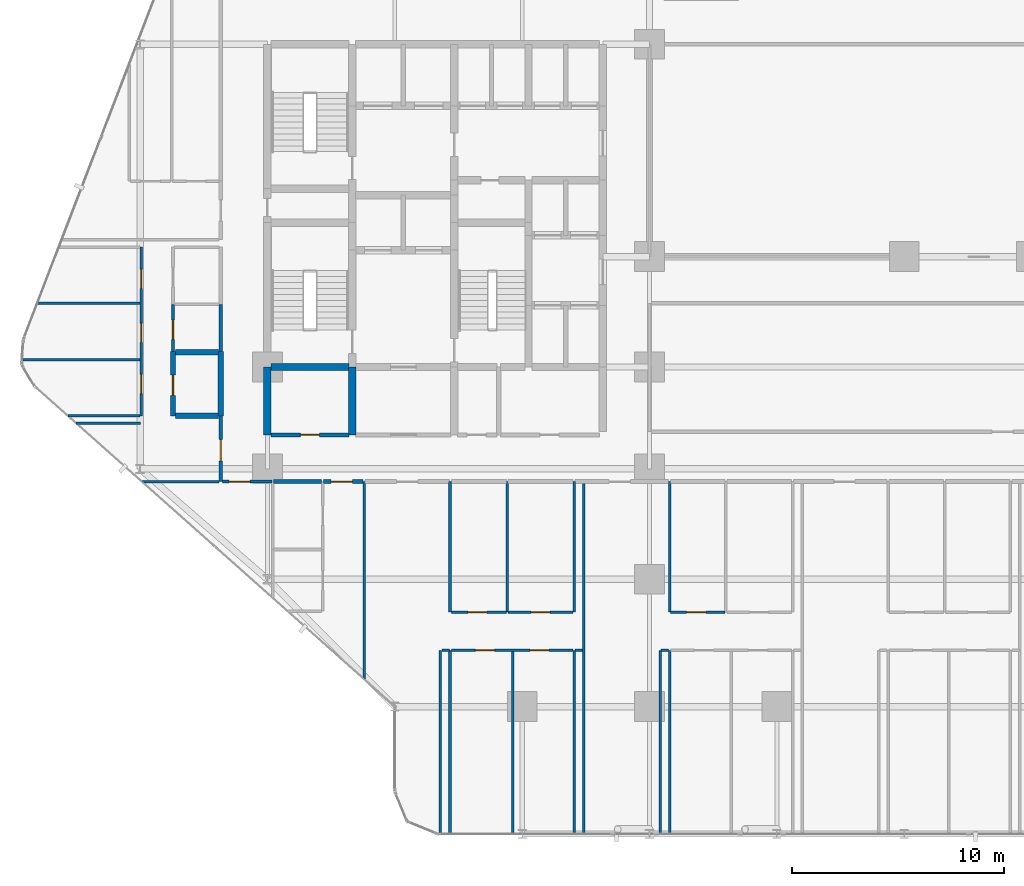
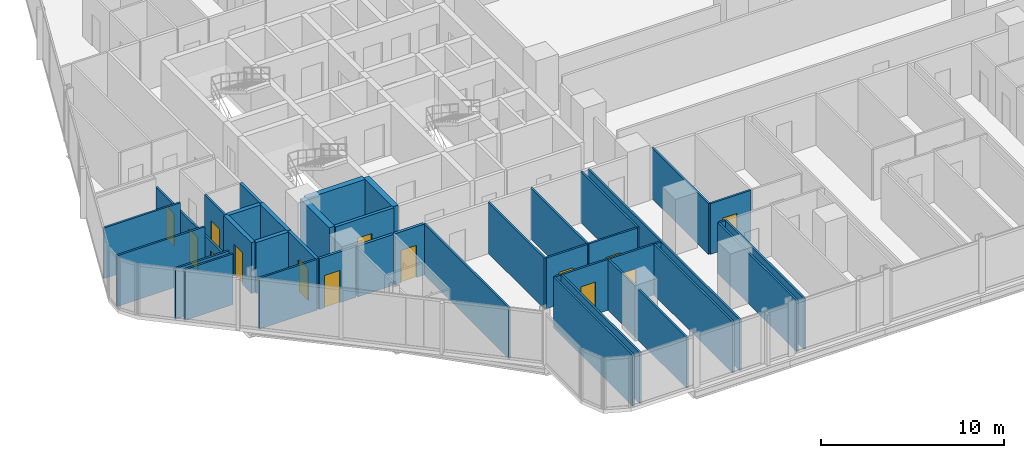
# One storey, part 27 of 35: 39 walls, 14 doors, 14 openings.
"""IFC4 building model written with IfcOpenShell, lengths in metres."""

from ifc_helpers import new_model, si_unit, direction, frame, frame_2d, origin, place, context, subcontext, project, spatial, rectangle, extrude, material, layer, layer_set, type_object, element, fill, save


model = new_model("IFC4")

# Units and contexts
model_context = context("Model", 3, precision=1e-05, world=origin(), true_north=direction((0.0, 1.0)))
body_context = subcontext(model_context, "Body", "Model", "MODEL_VIEW")
ifc_project = project(units=[si_unit("LENGTHUNIT", "METRE"), si_unit("AREAUNIT", "SQUARE_METRE"), si_unit("VOLUMEUNIT", "CUBIC_METRE"), si_unit("PLANEANGLEUNIT", "RADIAN"), si_unit("MASSUNIT", "GRAM", prefix="KILO")], contexts=[model_context])

# Site, building, storey
site_placement = place(None, origin())
site = spatial("IfcSite", under=ifc_project, at=site_placement, CompositionType="ELEMENT")
building_placement = place(site_placement, origin())
building = spatial("IfcBuilding", under=site, at=building_placement, Name="Keshet Zoharim Tower", CompositionType="ELEMENT")
storey_placement = place(building_placement, frame((0.0, 0.0, 24.0)))
storey = spatial("IfcBuildingStorey", under=building, at=storey_placement, Name="L04", CompositionType="ELEMENT", Elevation=24.0)

# Wall, opening, door
ifc_material_1 = material(Name="Gypsum Plasterboard", Category="gypsum")
ifc_layer_1 = layer(ifc_material_1, 0.14990234375)
ifc_layer_set_1 = layer_set([ifc_layer_1], Name="Gypsum Plasterboard")
wall_type_1 = type_object("IfcWallType", Name="WL-CLIN-150", PredefinedType="STANDARD", material=ifc_layer_set_1)
wall_1_placement = place(storey_placement, frame((12.875, 17.300048828125, 0.0), z_axis=(0.0, 0.0, 1.0), x_axis=(1.0, 0.0, 0.0)))
wall_1 = element("IfcWall", 1, at=wall_1_placement, inside=storey, type_object=wall_type_1, Name="L04 Interior Wall 146", PredefinedType="STANDARD", context=body_context, shape_type="SweptSolid", body=[
    extrude(rectangle(XDim=2.330078125, YDim=0.14990234375, at=frame_2d((1.1650390625, 0.0))), origin(), (0.0, 0.0, 1.0), 3.385009765625),
])
opening_1_placement = place(wall_1_placement, frame((0.31494140625, 0.0, 0.0)))
opening_1 = element("IfcOpeningElement", 2, at=opening_1_placement, cuts=wall_1, Name="Opening D-F310", PredefinedType="OPENING", context=body_context, shape_type="SweptSolid", body=[
    extrude(rectangle(XDim=1.0, YDim=2.14990234375, at=frame_2d((0.5, 1.074951171875))), frame((0.0, 0.0849609375, 0.0), z_axis=(0.0, -1.0, 0.0), x_axis=(1.0, 0.0, 0.0)), (0.0, 0.0, 1.0), 0.169921875),
])
ifc_material_2 = material(Name="Hardwood Timber", Category="wood")
door_type_1 = type_object("IfcDoorType", Name="DR-FD30-100", OperationType="NOTDEFINED", PredefinedType="DOOR", material=ifc_material_2)
door_1_placement = place(opening_1_placement, origin())
door_1 = element("IfcDoor", 3, at=door_1_placement, inside=storey, type_object=door_type_1, Name="L04 South West Residents Services Suite Access Door", OperationType="SINGLE_SWING_RIGHT", OverallHeight=2.14990234375, OverallWidth=1.0, PredefinedType="DOOR", context=body_context, shape_type="SweptSolid", body=[
    extrude(rectangle(XDim=1.0, YDim=2.14990234375, at=frame_2d((0.5, 1.074951171875))), frame((0.0, 0.02490234375, 0.0), z_axis=(0.0, -1.0, 0.0), x_axis=(1.0, 0.0, 0.0)), (0.0, 0.0, 1.0), 0.050048828125),
])
fill(opening_1, door_1)

# Walls
ifc_material_3 = material(Name="Concrete C60/75", Category="concrete")
ifc_layer_2 = layer(ifc_material_3, 0.35009765625)
ifc_layer_set_2 = layer_set([ifc_layer_2], Name="Concrete C60/75")
wall_type_2 = type_object("IfcWallType", Name="WL-CORE-350", PredefinedType="SHEAR", material=ifc_layer_set_2)
for number, where, z_axis, x_axis, name in (
    (4, (15.0, 19.5, 0.0), (0.0, 0.0, 1.0), (0.0, 1.0, 0.0), "L04 Core Shear Wall 015"),
    (5, (19.0, 19.5, 0.0), (0.0, 0.0, 1.0), (0.0, 1.0, 0.0), "L04 Core Shear Wall 025"),
):
    element("IfcWall", number, at=place(storey_placement, frame(where, z_axis=z_axis, x_axis=x_axis)), inside=storey, type_object=wall_type_2, Name=name, PredefinedType="SHEAR", context=body_context, shape_type="SweptSolid", body=[
        extrude(rectangle(XDim=3.199951171875, YDim=0.35009765625, at=frame_2d((1.60009765625, 0.0))), origin(), (0.0, 0.0, 1.0), 3.385009765625),
    ])
wall_2_placement = place(storey_placement, frame((15.159912109375, 22.699951171875, 0.0), z_axis=(0.0, 0.0, 1.0), x_axis=(1.0, 0.0, 0.0)))
element("IfcWall", 6, at=wall_2_placement, inside=storey, type_object=wall_type_2, Name="L04 Core Shear Wall 171", PredefinedType="SHEAR", context=body_context, shape_type="SweptSolid", body=[
    extrude(rectangle(XDim=3.68017578125, YDim=0.35009765625, at=frame_2d((1.840087890625, 0.0))), origin(), (0.0, 0.0, 1.0), 3.385009765625),
])

# Wall, opening, door
ifc_layer_3 = layer(ifc_material_1, 0.179931640625)
ifc_layer_set_3 = layer_set([ifc_layer_3], Name="Gypsum Plasterboard")
wall_type_3 = type_object("IfcWallType", Name="WL-CORR-180", PredefinedType="STANDARD", material=ifc_layer_set_3)
wall_3_placement = place(storey_placement, frame((12.800048828125, 17.300048828125, 0.0), z_axis=(0.0, 0.0, 1.0), x_axis=(0.0, 1.0, 0.0)))
wall_3 = element("IfcWall", 7, at=wall_3_placement, inside=storey, type_object=wall_type_3, Name="L04 Interior Wall 007", PredefinedType="STANDARD", context=body_context, shape_type="SweptSolid", body=[
    extrude(rectangle(XDim=3.099853515625, YDim=0.179931640625, at=frame_2d((1.5498046875, 0.0))), origin(), (0.0, 0.0, 1.0), 3.385009765625),
])
opening_2_placement = place(wall_3_placement, frame((0.97802734375, 0.0, 0.0)))
opening_2 = element("IfcOpeningElement", 8, at=opening_2_placement, cuts=wall_3, Name="Opening D-F310", PredefinedType="OPENING", context=body_context, shape_type="SweptSolid", body=[
    extrude(rectangle(XDim=1.0, YDim=2.14990234375, at=frame_2d((0.5, 1.074951171875))), frame((0.0, 0.10009765625, 0.0), z_axis=(0.0, -1.0, 0.0), x_axis=(1.0, 0.0, 0.0)), (0.0, 0.0, 1.0), 0.199951171875),
])
door_2_placement = place(opening_2_placement, origin())
door_2 = element("IfcDoor", 9, at=door_2_placement, inside=storey, type_object=door_type_1, Name="Apartment 0411 Entrance Door", OperationType="SINGLE_SWING_RIGHT", OverallHeight=2.14990234375, OverallWidth=1.0, PredefinedType="DOOR", context=body_context, shape_type="SweptSolid", body=[
    extrude(rectangle(XDim=1.0, YDim=2.14990234375, at=frame_2d((0.5, 1.074951171875))), frame((0.0, 0.02490234375, 0.0), z_axis=(0.0, -1.0, 0.0), x_axis=(1.0, 0.0, 0.0)), (0.0, 0.0, 1.0), 0.050048828125),
])
fill(opening_2, door_2)

# Walls
wall_4_placement = place(storey_placement, frame((12.800048828125, 23.4208984375, 0.0), z_axis=(0.0, 0.0, 1.0), x_axis=(0.0, 1.0, 0.0)))
element("IfcWall", 10, at=wall_4_placement, inside=storey, type_object=wall_type_3, Name="L04 Interior Wall 009", PredefinedType="STANDARD", context=body_context, shape_type="SweptSolid", body=[
    extrude(rectangle(XDim=2.22607421875, YDim=0.179931640625, at=frame_2d((1.113037109375, 0.0))), origin(), (0.0, 0.0, 1.0), 3.385009765625),
])
wall_5_placement = place(storey_placement, frame((15.294921875, 17.300048828125, 0.0), z_axis=(0.0, 0.0, 1.0), x_axis=(1.0, 0.0, 0.0)))
element("IfcWall", 11, at=wall_5_placement, inside=storey, type_object=wall_type_3, Name="L04 Interior Wall 147", PredefinedType="STANDARD", context=body_context, shape_type="SweptSolid", body=[
    extrude(rectangle(XDim=2.260009765625, YDim=0.179931640625, at=frame_2d((1.1298828125, 0.0))), origin(), (0.0, 0.0, 1.0), 3.385009765625),
])

# Wall, opening, door
wall_6_placement = place(storey_placement, frame((17.64501953125, 17.300048828125, 0.0), z_axis=(0.0, 0.0, 1.0), x_axis=(1.0, 0.0, 0.0)))
wall_6 = element("IfcWall", 12, at=wall_6_placement, inside=storey, type_object=wall_type_3, Name="L04 Interior Wall 148", PredefinedType="STANDARD", context=body_context, shape_type="SweptSolid", body=[
    extrude(rectangle(XDim=1.85986328125, YDim=0.179931640625, at=frame_2d((0.929931640625, 0.0))), origin(), (0.0, 0.0, 1.0), 3.385009765625),
])
opening_3_placement = place(wall_6_placement, frame((0.35693359375, 0.0, 0.0)))
opening_3 = element("IfcOpeningElement", 13, at=opening_3_placement, cuts=wall_6, Name="Opening D-F310", PredefinedType="OPENING", context=body_context, shape_type="SweptSolid", body=[
    extrude(rectangle(XDim=1.0, YDim=2.14990234375, at=frame_2d((0.5, 1.074951171875))), frame((0.0, 0.10009765625, 0.0), z_axis=(0.0, -1.0, 0.0), x_axis=(1.0, 0.0, 0.0)), (0.0, 0.0, 1.0), 0.199951171875),
])
door_3_placement = place(opening_3_placement, origin())
door_3 = element("IfcDoor", 14, at=door_3_placement, inside=storey, type_object=door_type_1, Name="Apartment 0401 Entrance Door", OperationType="SINGLE_SWING_LEFT", OverallHeight=2.14990234375, OverallWidth=1.0, PredefinedType="DOOR", context=body_context, shape_type="SweptSolid", body=[
    extrude(rectangle(XDim=1.0, YDim=2.14990234375, at=frame_2d((0.5, 1.074951171875))), frame((0.0, 0.02490234375, 0.0), z_axis=(0.0, -1.0, 0.0), x_axis=(1.0, 0.0, 0.0)), (0.0, 0.0, 1.0), 0.050048828125),
])
fill(opening_3, door_3)

ifc_material_4 = material(Name="Concrete C50/60", Category="concrete")
ifc_layer_4 = layer(ifc_material_4, 0.199951171875)
ifc_layer_set_4 = layer_set([ifc_layer_4], Name="Concrete C50/60")
wall_type_4 = type_object("IfcWallType", Name="WL-FIRE-200", PredefinedType="STANDARD", material=ifc_layer_set_4)
wall_7_placement = place(storey_placement, frame((15.159912109375, 19.5, 0.0), z_axis=(0.0, 0.0, 1.0), x_axis=(1.0, 0.0, 0.0)))
wall_7 = element("IfcWall", 15, at=wall_7_placement, inside=storey, type_object=wall_type_4, Name="L04 Interior Wall 163", PredefinedType="STANDARD", context=body_context, shape_type="SweptSolid", body=[
    extrude(rectangle(XDim=3.68017578125, YDim=0.199951171875, at=frame_2d((1.840087890625, 0.0))), origin(), (0.0, 0.0, 1.0), 3.385009765625),
])
opening_4_placement = place(wall_7_placement, frame((1.389892578125, 0.0, 0.0)))
opening_4 = element("IfcOpeningElement", 16, at=opening_4_placement, cuts=wall_7, Name="Opening D-F690", PredefinedType="OPENING", context=body_context, shape_type="SweptSolid", body=[
    extrude(rectangle(XDim=0.89990234375, YDim=2.14990234375, at=frame_2d((0.449951171875, 1.074951171875))), frame((0.0, 0.10986328125, 0.0), z_axis=(0.0, -1.0, 0.0), x_axis=(1.0, 0.0, 0.0)), (0.0, 0.0, 1.0), 0.219970703125),
])
door_type_2 = type_object("IfcDoorType", Name="DR-FD60-090", OperationType="NOTDEFINED", PredefinedType="DOOR", material=ifc_material_2)
door_4_placement = place(opening_4_placement, origin())
door_4 = element("IfcDoor", 17, at=door_4_placement, inside=storey, type_object=door_type_2, Name="L04 Refuse Room Door", OperationType="SINGLE_SWING_LEFT", OverallHeight=2.14990234375, OverallWidth=0.89990234375, PredefinedType="DOOR", context=body_context, shape_type="SweptSolid", body=[
    extrude(rectangle(XDim=0.89990234375, YDim=2.14990234375, at=frame_2d((0.449951171875, 1.074951171875))), frame((0.0, 0.02490234375, 0.0), z_axis=(0.0, -1.0, 0.0), x_axis=(1.0, 0.0, 0.0)), (0.0, 0.0, 1.0), 0.050048828125),
])
fill(opening_4, door_4)

ifc_layer_5 = layer(ifc_material_4, 0.25)
ifc_layer_set_5 = layer_set([ifc_layer_5], Name="Concrete C50/60")
wall_type_5 = type_object("IfcWallType", Name="WL-MAMAD-250", PredefinedType="STANDARD", material=ifc_layer_set_5)
wall_8_placement = place(storey_placement, frame((10.550048828125, 20.39990234375, 0.0), z_axis=(0.0, 0.0, 1.0), x_axis=(0.0, 1.0, 0.0)))
wall_8 = element("IfcWall", 18, at=wall_8_placement, inside=storey, type_object=wall_type_5, Name="L04 Interior Wall 004", PredefinedType="STANDARD", context=body_context, shape_type="SweptSolid", body=[
    extrude(rectangle(XDim=3.02099609375, YDim=0.25, at=frame_2d((1.510498046875, 0.0))), origin(), (0.0, 0.0, 1.0), 3.385009765625),
])
opening_5_placement = place(wall_8_placement, frame((0.964111328125, 0.0, 0.0)))
opening_5 = element("IfcOpeningElement", 19, at=opening_5_placement, cuts=wall_8, Name="Opening D-F695", PredefinedType="OPENING", context=body_context, shape_type="SweptSolid", body=[
    extrude(rectangle(XDim=0.949951171875, YDim=2.14990234375, at=frame_2d((0.47509765625, 1.074951171875))), frame((0.0, 0.135009765625, 0.0), z_axis=(0.0, -1.0, 0.0), x_axis=(1.0, 0.0, 0.0)), (0.0, 0.0, 1.0), 0.27001953125),
])
door_type_3 = type_object("IfcDoorType", Name="DR-FD60-095", OperationType="NOTDEFINED", PredefinedType="DOOR", material=ifc_material_2)
door_5_placement = place(opening_5_placement, origin())
door_5 = element("IfcDoor", 20, at=door_5_placement, inside=storey, type_object=door_type_3, Name="Apartment 0411 Study and Shelter Room Door", OperationType="SINGLE_SWING_LEFT", OverallHeight=2.14990234375, OverallWidth=0.949951171875, PredefinedType="DOOR", context=body_context, shape_type="SweptSolid", body=[
    extrude(rectangle(XDim=0.949951171875, YDim=2.14990234375, at=frame_2d((0.47509765625, 1.074951171875))), frame((0.0, 0.02490234375, 0.0), z_axis=(0.0, -1.0, 0.0), x_axis=(1.0, 0.0, 0.0)), (0.0, 0.0, 1.0), 0.050048828125),
])
fill(opening_5, door_5)

# Walls
wall_9_placement = place(storey_placement, frame((12.800048828125, 20.39990234375, 0.0), z_axis=(0.0, 0.0, 1.0), x_axis=(0.0, 1.0, 0.0)))
element("IfcWall", 21, at=wall_9_placement, inside=storey, type_object=wall_type_5, Name="L04 Interior Wall 008", PredefinedType="STANDARD", context=body_context, shape_type="SweptSolid", body=[
    extrude(rectangle(XDim=3.02099609375, YDim=0.25, at=frame_2d((1.510498046875, 0.0))), origin(), (0.0, 0.0, 1.0), 3.385009765625),
])
for number, where, z_axis, x_axis, name in (
    (22, (10.659912109375, 20.39990234375, 0.0), (0.0, 0.0, 1.0), (1.0, 0.0, 0.0), "L04 Interior Wall 170"),
    (23, (10.659912109375, 23.39990234375, 0.0), (0.0, 0.0, 1.0), (1.0, 0.0, 0.0), "L04 Interior Wall 177"),
):
    element("IfcWall", number, at=place(storey_placement, frame(where, z_axis=z_axis, x_axis=x_axis)), inside=storey, type_object=wall_type_5, Name=name, PredefinedType="STANDARD", context=body_context, shape_type="SweptSolid", body=[
        extrude(rectangle(XDim=2.030029296875, YDim=0.25, at=frame_2d((1.01513671875, 0.0))), origin(), (0.0, 0.0, 1.0), 3.385009765625),
    ])

# Wall, openings, doors
ifc_layer_6 = layer(ifc_material_1, 0.1201171875)
ifc_layer_set_6 = layer_set([ifc_layer_6], Name="Gypsum Plasterboard")
wall_type_6 = type_object("IfcWallType", Name="WL-PART-120", PredefinedType="PARTITIONING", material=ifc_layer_set_6)
wall_10_placement = place(storey_placement, frame((9.050048828125, 20.39990234375, 0.0), z_axis=(0.0, 0.0, 1.0), x_axis=(0.0, 1.0, 0.0)))
wall_10 = element("IfcWall", 24, at=wall_10_placement, inside=storey, type_object=wall_type_6, Name="L04 Interior Wall 002", PredefinedType="PARTITIONING", context=body_context, shape_type="SweptSolid", body=[
    extrude(rectangle(XDim=7.9501953125, YDim=0.1201171875, at=frame_2d((3.97509765625, 0.0))), origin(), (0.0, 0.0, 1.0), 2.784912109375),
])
opening_6_placement = place(wall_10_placement, frame((1.050048828125, 0.0, 0.0)))
opening_6 = element("IfcOpeningElement", 25, at=opening_6_placement, cuts=wall_10, Name="Opening D-IN90", PredefinedType="OPENING", context=body_context, shape_type="SweptSolid", body=[
    extrude(rectangle(XDim=0.89990234375, YDim=2.14990234375, at=frame_2d((0.449951171875, 1.074951171875))), frame((0.0, 0.070068359375, 0.0), z_axis=(0.0, -1.0, 0.0), x_axis=(1.0, 0.0, 0.0)), (0.0, 0.0, 1.0), 0.14013671875),
])
opening_7_placement = place(wall_10_placement, frame((3.455078125, 0.0, 0.0)))
opening_7 = element("IfcOpeningElement", 26, at=opening_7_placement, cuts=wall_10, Name="Opening D-IN90", PredefinedType="OPENING", context=body_context, shape_type="SweptSolid", body=[
    extrude(rectangle(XDim=0.89990234375, YDim=2.14990234375, at=frame_2d((0.449951171875, 1.074951171875))), frame((0.0, 0.070068359375, 0.0), z_axis=(0.0, -1.0, 0.0), x_axis=(1.0, 0.0, 0.0)), (0.0, 0.0, 1.0), 0.14013671875),
])
opening_8_placement = place(wall_10_placement, frame((6.0, 0.0, 0.0)))
opening_8 = element("IfcOpeningElement", 27, at=opening_8_placement, cuts=wall_10, Name="Opening D-IN90", PredefinedType="OPENING", context=body_context, shape_type="SweptSolid", body=[
    extrude(rectangle(XDim=0.89990234375, YDim=2.14990234375, at=frame_2d((0.449951171875, 1.074951171875))), frame((0.0, 0.070068359375, 0.0), z_axis=(0.0, -1.0, 0.0), x_axis=(1.0, 0.0, 0.0)), (0.0, 0.0, 1.0), 0.14013671875),
])
door_type_4 = type_object("IfcDoorType", Name="DR-INT-090", OperationType="NOTDEFINED", PredefinedType="DOOR", material=ifc_material_2)
door_6_placement = place(opening_6_placement, origin())
door_6 = element("IfcDoor", 28, at=door_6_placement, inside=storey, type_object=door_type_4, Name="Apartment 0411 Bedroom 1 Door", OperationType="SINGLE_SWING_RIGHT", OverallHeight=2.14990234375, OverallWidth=0.89990234375, PredefinedType="DOOR", context=body_context, shape_type="SweptSolid", body=[
    extrude(rectangle(XDim=0.89990234375, YDim=2.14990234375, at=frame_2d((0.449951171875, 1.074951171875))), frame((0.0, 0.02490234375, 0.0), z_axis=(0.0, -1.0, 0.0), x_axis=(1.0, 0.0, 0.0)), (0.0, 0.0, 1.0), 0.050048828125),
])
fill(opening_6, door_6)
door_7_placement = place(opening_7_placement, origin())
door_7 = element("IfcDoor", 29, at=door_7_placement, inside=storey, type_object=door_type_4, Name="Apartment 0411 Bedroom 2 Door", OperationType="SINGLE_SWING_LEFT", OverallHeight=2.14990234375, OverallWidth=0.89990234375, PredefinedType="DOOR", context=body_context, shape_type="SweptSolid", body=[
    extrude(rectangle(XDim=0.89990234375, YDim=2.14990234375, at=frame_2d((0.449951171875, 1.074951171875))), frame((0.0, 0.02490234375, 0.0), z_axis=(0.0, -1.0, 0.0), x_axis=(1.0, 0.0, 0.0)), (0.0, 0.0, 1.0), 0.050048828125),
])
fill(opening_7, door_7)
door_8_placement = place(opening_8_placement, origin())
door_8 = element("IfcDoor", 30, at=door_8_placement, inside=storey, type_object=door_type_4, Name="Apartment 0411 Bedroom 3 Door", OperationType="SINGLE_SWING_RIGHT", OverallHeight=2.14990234375, OverallWidth=0.89990234375, PredefinedType="DOOR", context=body_context, shape_type="SweptSolid", body=[
    extrude(rectangle(XDim=0.89990234375, YDim=2.14990234375, at=frame_2d((0.449951171875, 1.074951171875))), frame((0.0, 0.02490234375, 0.0), z_axis=(0.0, -1.0, 0.0), x_axis=(1.0, 0.0, 0.0)), (0.0, 0.0, 1.0), 0.050048828125),
])
fill(opening_8, door_8)

# Walls
wall_11_placement = place(storey_placement, frame((19.550048828125, 7.9990234375, 0.0), z_axis=(0.0, 0.0, 1.0), x_axis=(0.0, 1.0, 0.0)))
element("IfcWall", 31, at=wall_11_placement, inside=storey, type_object=wall_type_6, Name="L04 Interior Wall 031", PredefinedType="PARTITIONING", context=body_context, shape_type="SweptSolid", body=[
    extrude(rectangle(XDim=9.301025390625, YDim=0.1201171875, at=frame_2d((4.650390625, 0.0))), origin(), (0.0, 0.0, 1.0), 3.385009765625),
])
for number, where, z_axis, x_axis, name in (
    (32, (23.14990234375, 0.7099609375, 0.0), (0.0, 0.0, 1.0), (0.0, 1.0, 0.0), "L04 Interior Wall 037"),
    (33, (23.60009765625, 0.7099609375, 0.0), (0.0, 0.0, 1.0), (0.0, 1.0, 0.0), "L04 Interior Wall 038"),
):
    element("IfcWall", number, at=place(storey_placement, frame(where, z_axis=z_axis, x_axis=x_axis)), inside=storey, type_object=wall_type_6, Name=name, PredefinedType="PARTITIONING", context=body_context, shape_type="SweptSolid", body=[
        extrude(rectangle(XDim=8.64013671875, YDim=0.1201171875, at=frame_2d((4.320068359375, 0.0))), origin(), (0.0, 0.0, 1.0), 3.385009765625),
    ])
wall_12_placement = place(storey_placement, frame((23.60009765625, 11.14990234375, 0.0), z_axis=(0.0, 0.0, 1.0), x_axis=(0.0, 1.0, 0.0)))
element("IfcWall", 34, at=wall_12_placement, inside=storey, type_object=wall_type_6, Name="L04 Interior Wall 039", PredefinedType="PARTITIONING", context=body_context, shape_type="SweptSolid", body=[
    extrude(rectangle(XDim=6.150146484375, YDim=0.1201171875, at=frame_2d((3.0751953125, 0.0))), origin(), (0.0, 0.0, 1.0), 3.385009765625),
])
for number, where, z_axis, x_axis, name in (
    (35, (26.550048828125, 0.7099609375, 0.0), (0.0, 0.0, 1.0), (0.0, 1.0, 0.0), "L04 Interior Wall 050"),
    (36, (29.449951171875, 0.7099609375, 0.0), (0.0, 0.0, 1.0), (0.0, 1.0, 0.0), "L04 Interior Wall 062"),
):
    element("IfcWall", number, at=place(storey_placement, frame(where, z_axis=z_axis, x_axis=x_axis)), inside=storey, type_object=wall_type_6, Name=name, PredefinedType="PARTITIONING", context=body_context, shape_type="SweptSolid", body=[
        extrude(rectangle(XDim=8.64013671875, YDim=0.1201171875, at=frame_2d((4.320068359375, 0.0))), origin(), (0.0, 0.0, 1.0), 3.385009765625),
    ])
wall_13_placement = place(storey_placement, frame((29.89990234375, 0.7099609375, 0.0), z_axis=(0.0, 0.0, 1.0), x_axis=(0.0, 1.0, 0.0)))
element("IfcWall", 37, at=wall_13_placement, inside=storey, type_object=wall_type_6, Name="L04 Interior Wall 064", PredefinedType="PARTITIONING", context=body_context, shape_type="SweptSolid", body=[
    extrude(rectangle(XDim=16.590087890625, YDim=0.1201171875, at=frame_2d((8.294921875, 0.0))), origin(), (0.0, 0.0, 1.0), 3.385009765625),
])
for number, where, z_axis, x_axis, name in (
    (38, (33.5, 0.7099609375, 0.0), (0.0, 0.0, 1.0), (0.0, 1.0, 0.0), "L04 Interior Wall 075"),
    (39, (33.949951171875, 0.7099609375, 0.0), (0.0, 0.0, 1.0), (0.0, 1.0, 0.0), "L04 Interior Wall 078"),
):
    element("IfcWall", number, at=place(storey_placement, frame(where, z_axis=z_axis, x_axis=x_axis)), inside=storey, type_object=wall_type_6, Name=name, PredefinedType="PARTITIONING", context=body_context, shape_type="SweptSolid", body=[
        extrude(rectangle(XDim=8.64013671875, YDim=0.1201171875, at=frame_2d((4.320068359375, 0.0))), origin(), (0.0, 0.0, 1.0), 3.385009765625),
    ])
wall_14_placement = place(storey_placement, frame((33.949951171875, 11.14990234375, 0.0), z_axis=(0.0, 0.0, 1.0), x_axis=(0.0, 1.0, 0.0)))
element("IfcWall", 40, at=wall_14_placement, inside=storey, type_object=wall_type_6, Name="L04 Interior Wall 079", PredefinedType="PARTITIONING", context=body_context, shape_type="SweptSolid", body=[
    extrude(rectangle(XDim=6.150146484375, YDim=0.1201171875, at=frame_2d((3.0751953125, 0.0))), origin(), (0.0, 0.0, 1.0), 3.385009765625),
])
wall_15_placement = place(storey_placement, frame((23.215087890625, 9.35009765625, 0.0), z_axis=(0.0, 0.0, 1.0), x_axis=(1.0, 0.0, 0.0)))
element("IfcWall", 41, at=wall_15_placement, inside=storey, type_object=wall_type_6, Name="L04 Interior Wall 124", PredefinedType="PARTITIONING", context=body_context, shape_type="SweptSolid", body=[
    extrude(rectangle(XDim=0.35986328125, YDim=0.1201171875, at=frame_2d((0.179931640625, 0.0))), origin(), (0.0, 0.0, 1.0), 3.385009765625),
])

# Wall, openings, doors
wall_16_placement = place(storey_placement, frame((23.6650390625, 9.35009765625, 0.0), z_axis=(0.0, 0.0, 1.0), x_axis=(1.0, 0.0, 0.0)))
wall_16 = element("IfcWall", 42, at=wall_16_placement, inside=storey, type_object=wall_type_6, Name="L04 Interior Wall 125", PredefinedType="PARTITIONING", context=body_context, shape_type="SweptSolid", body=[
    extrude(rectangle(XDim=5.72998046875, YDim=0.1201171875, at=frame_2d((2.864990234375, 0.0))), origin(), (0.0, 0.0, 1.0), 3.385009765625),
])
opening_9_placement = place(wall_16_placement, frame((1.135009765625, 0.0, 0.0)))
opening_9 = element("IfcOpeningElement", 43, at=opening_9_placement, cuts=wall_16, Name="Opening D-IN90", PredefinedType="OPENING", context=body_context, shape_type="SweptSolid", body=[
    extrude(rectangle(XDim=0.89990234375, YDim=2.14990234375, at=frame_2d((0.449951171875, 1.074951171875))), frame((0.0, 0.070068359375, 0.0), z_axis=(0.0, -1.0, 0.0), x_axis=(1.0, 0.0, 0.0)), (0.0, 0.0, 1.0), 0.14013671875),
])
opening_10_placement = place(wall_16_placement, frame((3.695068359375, 0.0, 0.0)))
opening_10 = element("IfcOpeningElement", 44, at=opening_10_placement, cuts=wall_16, Name="Opening D-IN90", PredefinedType="OPENING", context=body_context, shape_type="SweptSolid", body=[
    extrude(rectangle(XDim=0.89990234375, YDim=2.14990234375, at=frame_2d((0.449951171875, 1.074951171875))), frame((0.0, 0.070068359375, 0.0), z_axis=(0.0, -1.0, 0.0), x_axis=(1.0, 0.0, 0.0)), (0.0, 0.0, 1.0), 0.14013671875),
])
door_9_placement = place(opening_9_placement, origin())
door_9 = element("IfcDoor", 45, at=door_9_placement, inside=storey, type_object=door_type_4, Name="Apartment 0402 Bedroom 1 Door", OperationType="SINGLE_SWING_RIGHT", OverallHeight=2.14990234375, OverallWidth=0.89990234375, PredefinedType="DOOR", context=body_context, shape_type="SweptSolid", body=[
    extrude(rectangle(XDim=0.89990234375, YDim=2.14990234375, at=frame_2d((0.449951171875, 1.074951171875))), frame((0.0, 0.02490234375, 0.0), z_axis=(0.0, -1.0, 0.0), x_axis=(1.0, 0.0, 0.0)), (0.0, 0.0, 1.0), 0.050048828125),
])
fill(opening_9, door_9)
door_10_placement = place(opening_10_placement, origin())
door_10 = element("IfcDoor", 46, at=door_10_placement, inside=storey, type_object=door_type_4, Name="Apartment 0402 Bedroom 2 Door", OperationType="SINGLE_SWING_LEFT", OverallHeight=2.14990234375, OverallWidth=0.89990234375, PredefinedType="DOOR", context=body_context, shape_type="SweptSolid", body=[
    extrude(rectangle(XDim=0.89990234375, YDim=2.14990234375, at=frame_2d((0.449951171875, 1.074951171875))), frame((0.0, 0.02490234375, 0.0), z_axis=(0.0, -1.0, 0.0), x_axis=(1.0, 0.0, 0.0)), (0.0, 0.0, 1.0), 0.050048828125),
])
fill(opening_10, door_10)

# Walls
wall_17_placement = place(storey_placement, frame((29.485107421875, 9.35009765625, 0.0), z_axis=(0.0, 0.0, 1.0), x_axis=(1.0, 0.0, 0.0)))
element("IfcWall", 47, at=wall_17_placement, inside=storey, type_object=wall_type_6, Name="L04 Interior Wall 126", PredefinedType="PARTITIONING", context=body_context, shape_type="SweptSolid", body=[
    extrude(rectangle(XDim=0.35986328125, YDim=0.1201171875, at=frame_2d((0.179931640625, 0.0))), origin(), (0.0, 0.0, 1.0), 3.385009765625),
])
wall_18_placement = place(storey_placement, frame((33.534912109375, 9.35009765625, 0.0), z_axis=(0.0, 0.0, 1.0), x_axis=(1.0, 0.0, 0.0)))
element("IfcWall", 48, at=wall_18_placement, inside=storey, type_object=wall_type_6, Name="L04 Interior Wall 127", PredefinedType="PARTITIONING", context=body_context, shape_type="SweptSolid", body=[
    extrude(rectangle(XDim=0.360107421875, YDim=0.1201171875, at=frame_2d((0.18017578125, 0.0))), origin(), (0.0, 0.0, 1.0), 3.385009765625),
])

# Wall, opening, door
wall_19_placement = place(storey_placement, frame((23.6650390625, 11.14990234375, 0.0), z_axis=(0.0, 0.0, 1.0), x_axis=(1.0, 0.0, 0.0)))
wall_19 = element("IfcWall", 49, at=wall_19_placement, inside=storey, type_object=wall_type_6, Name="L04 Interior Wall 133", PredefinedType="PARTITIONING", context=body_context, shape_type="SweptSolid", body=[
    extrude(rectangle(XDim=2.5869140625, YDim=0.1201171875, at=frame_2d((1.29345703125, 0.0))), origin(), (0.0, 0.0, 1.0), 3.385009765625),
])
opening_11_placement = place(wall_19_placement, frame((0.77294921875, 0.0, 0.0)))
opening_11 = element("IfcOpeningElement", 50, at=opening_11_placement, cuts=wall_19, Name="Opening D-IN90", PredefinedType="OPENING", context=body_context, shape_type="SweptSolid", body=[
    extrude(rectangle(XDim=0.89990234375, YDim=2.14990234375, at=frame_2d((0.449951171875, 1.074951171875))), frame((0.0, 0.070068359375, 0.0), z_axis=(0.0, -1.0, 0.0), x_axis=(1.0, 0.0, 0.0)), (0.0, 0.0, 1.0), 0.14013671875),
])
door_11_placement = place(opening_11_placement, origin())
door_11 = element("IfcDoor", 51, at=door_11_placement, inside=storey, type_object=door_type_4, Name="Apartment 0402 Kitchen Door", OperationType="SINGLE_SWING_RIGHT", OverallHeight=2.14990234375, OverallWidth=0.89990234375, PredefinedType="DOOR", context=body_context, shape_type="SweptSolid", body=[
    extrude(rectangle(XDim=0.89990234375, YDim=2.14990234375, at=frame_2d((0.449951171875, 1.074951171875))), frame((0.0, 0.02490234375, 0.0), z_axis=(0.0, -1.0, 0.0), x_axis=(1.0, 0.0, 0.0)), (0.0, 0.0, 1.0), 0.050048828125),
])
fill(opening_11, door_11)

wall_20_placement = place(storey_placement, frame((33.985107421875, 11.14990234375, 0.0), z_axis=(0.0, 0.0, 1.0), x_axis=(1.0, 0.0, 0.0)))
wall_20 = element("IfcWall", 52, at=wall_20_placement, inside=storey, type_object=wall_type_6, Name="L04 Interior Wall 135", PredefinedType="PARTITIONING", context=body_context, shape_type="SweptSolid", body=[
    extrude(rectangle(XDim=2.572998046875, YDim=0.1201171875, at=frame_2d((1.28662109375, 0.0))), origin(), (0.0, 0.0, 1.0), 3.385009765625),
])
opening_12_placement = place(wall_20_placement, frame((0.76611328125, 0.0, 0.0)))
opening_12 = element("IfcOpeningElement", 53, at=opening_12_placement, cuts=wall_20, Name="Opening D-IN90", PredefinedType="OPENING", context=body_context, shape_type="SweptSolid", body=[
    extrude(rectangle(XDim=0.89990234375, YDim=2.14990234375, at=frame_2d((0.449951171875, 1.074951171875))), frame((0.0, 0.070068359375, 0.0), z_axis=(0.0, -1.0, 0.0), x_axis=(1.0, 0.0, 0.0)), (0.0, 0.0, 1.0), 0.14013671875),
])
door_12_placement = place(opening_12_placement, origin())
door_12 = element("IfcDoor", 54, at=door_12_placement, inside=storey, type_object=door_type_4, Name="Apartment 0403 Kitchen Door", OperationType="SINGLE_SWING_RIGHT", OverallHeight=2.14990234375, OverallWidth=0.89990234375, PredefinedType="DOOR", context=body_context, shape_type="SweptSolid", body=[
    extrude(rectangle(XDim=0.89990234375, YDim=2.14990234375, at=frame_2d((0.449951171875, 1.074951171875))), frame((0.0, 0.02490234375, 0.0), z_axis=(0.0, -1.0, 0.0), x_axis=(1.0, 0.0, 0.0)), (0.0, 0.0, 1.0), 0.050048828125),
])
fill(opening_12, door_12)

# Walls
wall_21_placement = place(storey_placement, frame((9.0849609375, 17.300048828125, 0.0), z_axis=(0.0, 0.0, 1.0), x_axis=(1.0, 0.0, 0.0)))
element("IfcWall", 55, at=wall_21_placement, inside=storey, type_object=wall_type_6, Name="L04 Interior Wall 145", PredefinedType="PARTITIONING", context=body_context, shape_type="SweptSolid", body=[
    extrude(rectangle(XDim=3.64013671875, YDim=0.1201171875, at=frame_2d((1.820068359375, 0.0))), origin(), (0.0, 0.0, 1.0), 3.385009765625),
])
wall_22_placement = place(storey_placement, frame((5.990966796875, 20.050048828125, 0.0), z_axis=(0.0, 0.0, 1.0), x_axis=(1.0, 0.0, 0.0)))
element("IfcWall", 56, at=wall_22_placement, inside=storey, type_object=wall_type_6, Name="L04 Interior Wall 168", PredefinedType="PARTITIONING", context=body_context, shape_type="SweptSolid", body=[
    extrude(rectangle(XDim=3.0390625, YDim=0.1201171875, at=frame_2d((1.51953125, 0.0))), origin(), (0.0, 0.0, 1.0), 3.385009765625),
])
wall_23_placement = place(storey_placement, frame((5.597900390625, 20.39990234375, 0.0), z_axis=(0.0, 0.0, 1.0), x_axis=(1.0, 0.0, 0.0)))
element("IfcWall", 57, at=wall_23_placement, inside=storey, type_object=wall_type_6, Name="L04 Interior Wall 169", PredefinedType="PARTITIONING", context=body_context, shape_type="SweptSolid", body=[
    extrude(rectangle(XDim=3.38720703125, YDim=0.1201171875, at=frame_2d((1.693603515625, 0.0))), origin(), (0.0, 0.0, 1.0), 3.385009765625),
])
wall_24_placement = place(storey_placement, frame((3.446044921875, 23.050048828125, 0.0), z_axis=(0.0, 0.0, 1.0), x_axis=(1.0, 0.0, 0.0)))
element("IfcWall", 58, at=wall_24_placement, inside=storey, type_object=wall_type_6, Name="L04 Interior Wall 176", PredefinedType="PARTITIONING", context=body_context, shape_type="SweptSolid", body=[
    extrude(rectangle(XDim=5.5390625, YDim=0.1201171875, at=frame_2d((2.76953125, 0.0))), origin(), (0.0, 0.0, 1.0), 3.385009765625),
])
wall_25_placement = place(storey_placement, frame((4.1640625, 25.699951171875, 0.0), z_axis=(0.0, 0.0, 1.0), x_axis=(1.0, 0.0, 0.0)))
element("IfcWall", 59, at=wall_25_placement, inside=storey, type_object=wall_type_6, Name="L04 Interior Wall 180", PredefinedType="PARTITIONING", context=body_context, shape_type="SweptSolid", body=[
    extrude(rectangle(XDim=4.821044921875, YDim=0.1201171875, at=frame_2d((2.41064453125, 0.0))), origin(), (0.0, 0.0, 1.0), 3.385009765625),
])

# Wall, opening, door
ifc_layer_7 = layer(ifc_material_1, 0.1201171875)
ifc_layer_set_7 = layer_set([ifc_layer_7], Name="Gypsum Plasterboard")
wall_type_7 = type_object("IfcWallType", Name="WL-WET-120", PredefinedType="PARTITIONING", material=ifc_layer_set_7)
wall_26_placement = place(storey_placement, frame((10.550048828125, 23.4208984375, 0.0), z_axis=(0.0, 0.0, 1.0), x_axis=(0.0, 1.0, 0.0)))
wall_26 = element("IfcWall", 60, at=wall_26_placement, inside=storey, type_object=wall_type_7, Name="L04 Interior Wall 005", PredefinedType="PARTITIONING", context=body_context, shape_type="SweptSolid", body=[
    extrude(rectangle(XDim=2.22607421875, YDim=0.1201171875, at=frame_2d((1.113037109375, 0.0))), origin(), (0.0, 0.0, 1.0), 3.385009765625),
])
opening_13_placement = place(wall_26_placement, frame((0.583984375, 0.0, 0.0)))
opening_13 = element("IfcOpeningElement", 61, at=opening_13_placement, cuts=wall_26, Name="Opening D-WT90", PredefinedType="OPENING", context=body_context, shape_type="SweptSolid", body=[
    extrude(rectangle(XDim=0.89990234375, YDim=2.10009765625, at=frame_2d((0.449951171875, 1.050048828125))), frame((0.0, 0.070068359375, 0.0), z_axis=(0.0, -1.0, 0.0), x_axis=(1.0, 0.0, 0.0)), (0.0, 0.0, 1.0), 0.14013671875),
])
door_type_5 = type_object("IfcDoorType", Name="DR-WET-090", OperationType="NOTDEFINED", PredefinedType="DOOR", material=ifc_material_2)
door_13_placement = place(opening_13_placement, origin())
door_13 = element("IfcDoor", 62, at=door_13_placement, inside=storey, type_object=door_type_5, Name="Apartment 0411 Bathroom Door", OperationType="SINGLE_SWING_RIGHT", OverallHeight=2.10009765625, OverallWidth=0.89990234375, PredefinedType="DOOR", context=body_context, shape_type="SweptSolid", body=[
    extrude(rectangle(XDim=0.89990234375, YDim=2.10009765625, at=frame_2d((0.449951171875, 1.050048828125))), frame((0.0, 0.02490234375, 0.0), z_axis=(0.0, -1.0, 0.0), x_axis=(1.0, 0.0, 0.0)), (0.0, 0.0, 1.0), 0.050048828125),
])
fill(opening_13, door_13)

# Walls
for number, where, z_axis, x_axis, name in (
    (63, (26.300048828125, 11.14990234375, 0.0), (0.0, 0.0, 1.0), (0.0, 1.0, 0.0), "L04 Interior Wall 049"),
    (64, (29.449951171875, 11.14990234375, 0.0), (0.0, 0.0, 1.0), (0.0, 1.0, 0.0), "L04 Interior Wall 063"),
):
    element("IfcWall", number, at=place(storey_placement, frame(where, z_axis=z_axis, x_axis=x_axis)), inside=storey, type_object=wall_type_7, Name=name, PredefinedType="PARTITIONING", context=body_context, shape_type="SweptSolid", body=[
        extrude(rectangle(XDim=6.150146484375, YDim=0.1201171875, at=frame_2d((3.0751953125, 0.0))), origin(), (0.0, 0.0, 1.0), 3.385009765625),
    ])

# Wall, opening, door
wall_27_placement = place(storey_placement, frame((26.342041015625, 11.14990234375, 0.0), z_axis=(0.0, 0.0, 1.0), x_axis=(1.0, 0.0, 0.0)))
wall_27 = element("IfcWall", 65, at=wall_27_placement, inside=storey, type_object=wall_type_7, Name="L04 Interior Wall 134", PredefinedType="PARTITIONING", context=body_context, shape_type="SweptSolid", body=[
    extrude(rectangle(XDim=3.052978515625, YDim=0.1201171875, at=frame_2d((1.5263671875, 0.0))), origin(), (0.0, 0.0, 1.0), 3.385009765625),
])
opening_14_placement = place(wall_27_placement, frame((1.076904296875, 0.0, 0.0)))
opening_14 = element("IfcOpeningElement", 66, at=opening_14_placement, cuts=wall_27, Name="Opening D-WT90", PredefinedType="OPENING", context=body_context, shape_type="SweptSolid", body=[
    extrude(rectangle(XDim=0.89990234375, YDim=2.10009765625, at=frame_2d((0.449951171875, 1.050048828125))), frame((0.0, 0.070068359375, 0.0), z_axis=(0.0, -1.0, 0.0), x_axis=(1.0, 0.0, 0.0)), (0.0, 0.0, 1.0), 0.14013671875),
])
door_14_placement = place(opening_14_placement, origin())
door_14 = element("IfcDoor", 67, at=door_14_placement, inside=storey, type_object=door_type_5, Name="Apartment 0402 Bathroom Door", OperationType="SINGLE_SWING_LEFT", OverallHeight=2.10009765625, OverallWidth=0.89990234375, PredefinedType="DOOR", context=body_context, shape_type="SweptSolid", body=[
    extrude(rectangle(XDim=0.89990234375, YDim=2.10009765625, at=frame_2d((0.449951171875, 1.050048828125))), frame((0.0, 0.02490234375, 0.0), z_axis=(0.0, -1.0, 0.0), x_axis=(1.0, 0.0, 0.0)), (0.0, 0.0, 1.0), 0.050048828125),
])
fill(opening_14, door_14)

save(model, "model.ifc")
